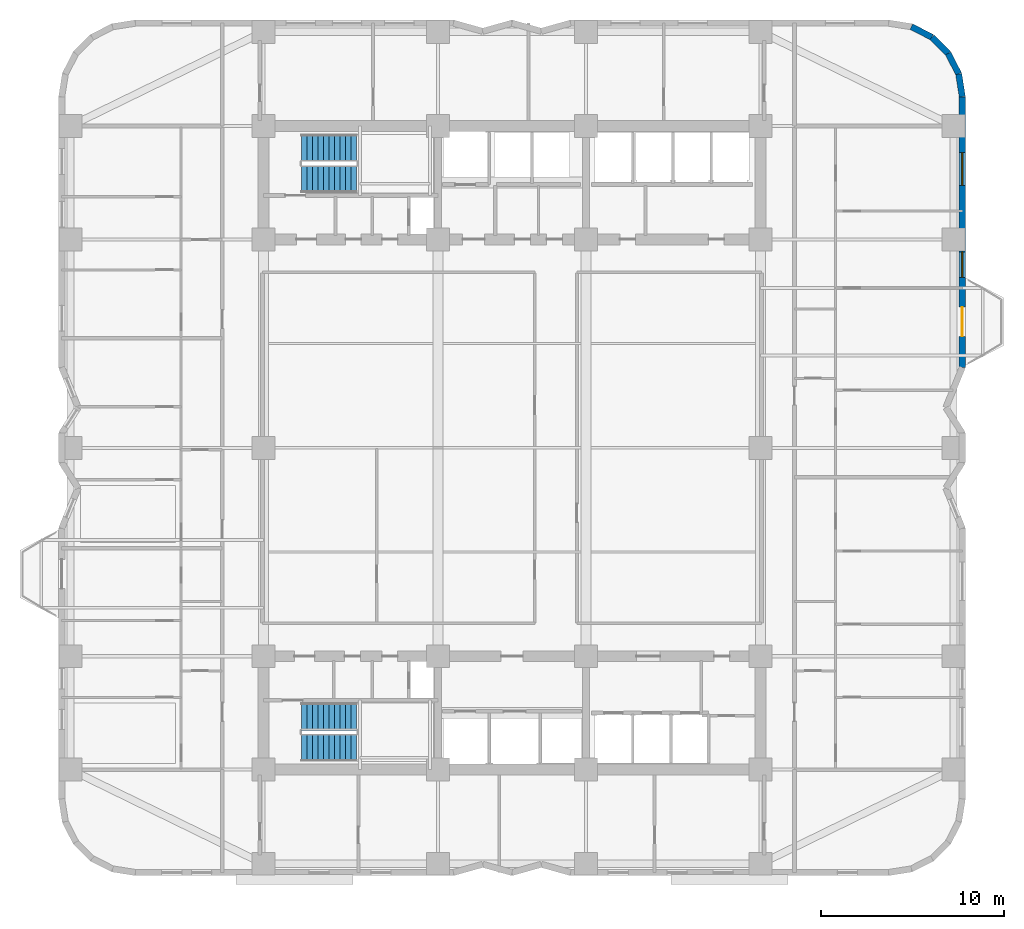
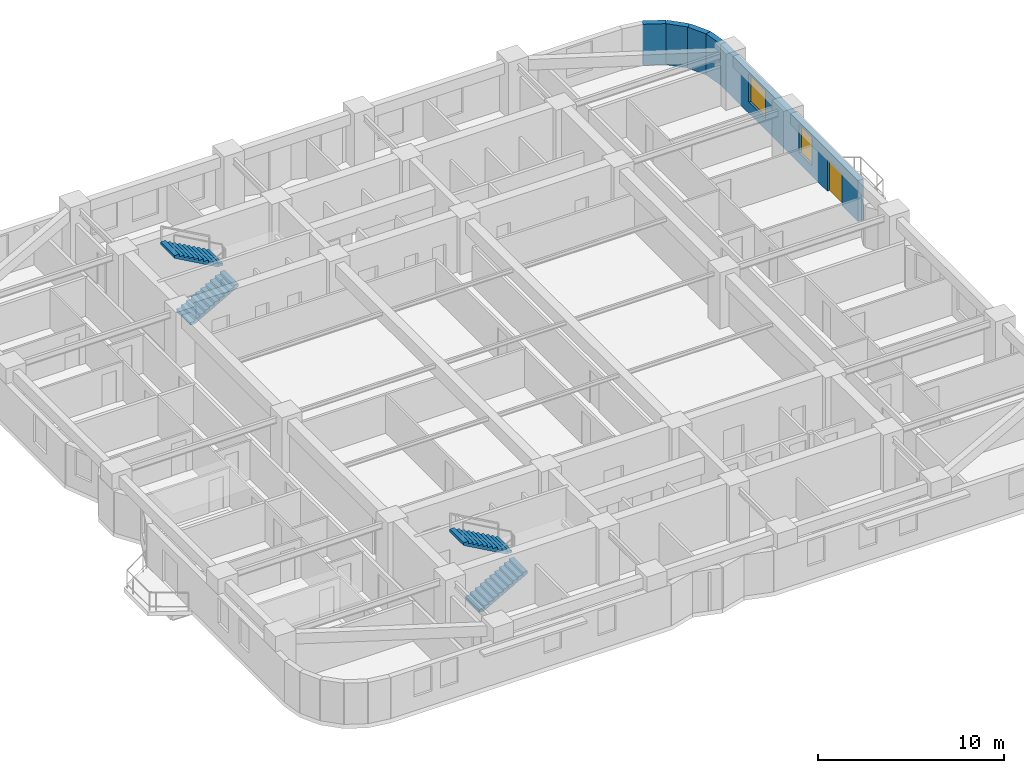
# One storey, part 8 of 11: 5 walls, 4 stair flights, 2 windows, 1 door, 3 openings, 2 elements without a shape of their own.
"""IFC4 building model written with IfcOpenShell, lengths in metres."""

from ifc_helpers import new_model, si_unit, direction, frame, frame_2d, origin, place, context, subcontext, project, spatial, polyline, rectangle, outline, extrude, material, layer, layer_set, type_object, element, fill, aggregate, save


model = new_model("IFC4")

# Units and contexts
model_context = context("Model", 3, precision=1e-05, world=origin(), true_north=direction((0.0, 1.0)))
body_context = subcontext(model_context, "Body", "Model", "MODEL_VIEW")
ifc_project = project(units=[si_unit("LENGTHUNIT", "METRE"), si_unit("AREAUNIT", "SQUARE_METRE"), si_unit("VOLUMEUNIT", "CUBIC_METRE"), si_unit("PLANEANGLEUNIT", "RADIAN"), si_unit("MASSUNIT", "GRAM", prefix="KILO")], contexts=[model_context])

# Site, building, storey
site_placement = place(None, origin())
site = spatial("IfcSite", under=ifc_project, at=site_placement, CompositionType="ELEMENT")
building_placement = place(site_placement, origin())
building = spatial("IfcBuilding", under=site, at=building_placement, Name="Svetorya Sky Lyceum", CompositionType="ELEMENT")
storey_placement = place(building_placement, frame((0.0, 0.0, 36.199951171875)))
storey = spatial("IfcBuildingStorey", under=building, at=storey_placement, Name="L08", CompositionType="ELEMENT", Elevation=36.199951171875)

# Wall, openings, door, windows
ifc_material_1 = material(Name="Putilovo limestone rainscreen on autoclaved cellular masonry", Category="masonry")
ifc_layer = layer(ifc_material_1, 0.340087890625)
ifc_layer_set = layer_set([ifc_layer], Name="Putilovo limestone rainscreen on autoclaved cellular masonry")
wall_type = type_object("IfcWallType", Name="WL-EXT-340", PredefinedType="SOLIDWALL", material=ifc_layer_set)
wall_1_placement = place(storey_placement, frame((63.830078125, 32.60009765625, 0.0), z_axis=(0.0, 0.0, 1.0), x_axis=(0.0, 1.0, 0.0)))
wall_1 = element("IfcWall", 1, at=wall_1_placement, inside=storey, type_object=wall_type, Name="L08 Limestone Exterior Wall 23M", PredefinedType="SOLIDWALL", context=body_context, shape_type="SweptSolid", body=[
    extrude(rectangle(XDim=14.7998046875, YDim=0.340087890625, at=frame_2d((7.39990234375, 0.0))), origin(), (0.0, 0.0, 1.0), 2.699951171875),
])
opening_1_placement = place(wall_1_placement, frame((1.699951171875, 0.0, 0.0)))
opening_1 = element("IfcOpeningElement", 2, at=opening_1_placement, cuts=wall_1, Name="Opening D-BL1", PredefinedType="OPENING", context=body_context, shape_type="SweptSolid", body=[
    extrude(rectangle(XDim=1.60009765625, YDim=2.10009765625, at=frame_2d((0.800048828125, 1.050048828125))), frame((0.0, 0.179931640625, 0.0), z_axis=(0.0, -1.0, 0.0), x_axis=(1.0, 0.0, 0.0)), (0.0, 0.0, 1.0), 0.360107421875),
])
opening_2_placement = place(wall_1_placement, frame((4.919921875, 0.0, 0.68994140625)))
opening_2 = element("IfcOpeningElement", 3, at=opening_2_placement, cuts=wall_1, Name="Opening W-R2", PredefinedType="OPENING", context=body_context, shape_type="SweptSolid", body=[
    extrude(rectangle(XDim=1.39990234375, YDim=1.85009765625, at=frame_2d((0.699951171875, 0.925048828125))), frame((0.0, 0.179931640625, 0.0), z_axis=(0.0, -1.0, 0.0), x_axis=(1.0, 0.0, 0.0)), (0.0, 0.0, 1.0), 0.360107421875),
])
opening_3_placement = place(wall_1_placement, frame((9.949951171875, 0.0, 0.72998046875)))
opening_3 = element("IfcOpeningElement", 4, at=opening_3_placement, cuts=wall_1, Name="Opening W-R1", PredefinedType="OPENING", context=body_context, shape_type="SweptSolid", body=[
    extrude(rectangle(XDim=1.800048828125, YDim=1.85009765625, at=frame_2d((0.89990234375, 0.925048828125))), frame((0.0, 0.179931640625, 0.0), z_axis=(0.0, -1.0, 0.0), x_axis=(1.0, 0.0, 0.0)), (0.0, 0.0, 1.0), 0.360107421875),
])
ifc_material_2 = material(Name="Insulated glazed aluminium balcony door", Category="aluminium")
door_type = type_object("IfcDoorType", Name="DR-BAL-1600", OperationType="DOUBLE_DOOR_SINGLE_SWING", PredefinedType="DOOR", material=ifc_material_2)
door_placement = place(opening_1_placement, origin())
door = element("IfcDoor", 5, at=door_placement, inside=storey, type_object=door_type, Name="L08 Balcony BAL-E1 Door", OperationType="DOUBLE_DOOR_SINGLE_SWING", OverallHeight=2.10009765625, OverallWidth=1.60009765625, PredefinedType="DOOR", context=body_context, shape_type="SweptSolid", body=[
    extrude(rectangle(XDim=1.60009765625, YDim=2.10009765625, at=frame_2d((0.800048828125, 1.050048828125))), frame((0.0, 0.02490234375, 0.0), z_axis=(0.0, -1.0, 0.0), x_axis=(1.0, 0.0, 0.0)), (0.0, 0.0, 1.0), 0.050048828125),
])
fill(opening_1, door)
ifc_material_3 = material(Name="Thermally broken aluminium frame with triple low-E glazing", Category="aluminium")
window_type_1 = type_object("IfcWindowType", Name="WN-RES-140", PartitioningType="SINGLE_PANEL", PredefinedType="WINDOW", material=ifc_material_3)
window_1_placement = place(opening_2_placement, origin())
window_1 = element("IfcWindow", 6, at=window_1_placement, inside=storey, type_object=window_type_1, Name="L08 Facade Window W-R2.23M.2", OverallHeight=1.85009765625, OverallWidth=1.39990234375, PartitioningType="SINGLE_PANEL", PredefinedType="WINDOW", context=body_context, shape_type="SweptSolid", body=[
    extrude(rectangle(XDim=1.39990234375, YDim=1.85009765625, at=frame_2d((0.699951171875, 0.925048828125))), frame((0.0, 0.030029296875, 0.0), z_axis=(0.0, -1.0, 0.0), x_axis=(1.0, 0.0, 0.0)), (0.0, 0.0, 1.0), 0.06005859375),
])
fill(opening_2, window_1)
window_type_2 = type_object("IfcWindowType", Name="WN-RES-180", PartitioningType="DOUBLE_PANEL_VERTICAL", PredefinedType="WINDOW", material=ifc_material_3)
window_2_placement = place(opening_3_placement, origin())
window_2 = element("IfcWindow", 7, at=window_2_placement, inside=storey, type_object=window_type_2, Name="L08 Facade Window W-R1.23M.1", OverallHeight=1.85009765625, OverallWidth=1.800048828125, PartitioningType="SINGLE_PANEL", PredefinedType="WINDOW", context=body_context, shape_type="SweptSolid", body=[
    extrude(rectangle(XDim=1.800048828125, YDim=1.85009765625, at=frame_2d((0.89990234375, 0.925048828125))), frame((0.0, 0.030029296875, 0.0), z_axis=(0.0, -1.0, 0.0), x_axis=(1.0, 0.0, 0.0)), (0.0, 0.0, 1.0), 0.06005859375),
])
fill(opening_3, window_2)

# Walls
for number, where, z_axis, x_axis, name in (
    (8, (63.830078125, 47.39990234375, 0.0), (0.0, 0.0, 1.0), (-0.15644975923, 0.987685918112, 0.0), "L08 Limestone Exterior Wall 24M"),
    (9, (63.6328125, 48.645263671875, 0.0), (0.0, 0.0, 1.0), (-0.454015689056, 0.890993689142, 0.0), "L08 Limestone Exterior Wall 25M"),
    (10, (63.060302734375, 49.768798828125, 0.0), (0.0, 0.0, 1.0), (-0.707106781187, 0.707106781187, 0.0), "L08 Limestone Exterior Wall 26M"),
):
    element("IfcWall", number, at=place(storey_placement, frame(where, z_axis=z_axis, x_axis=x_axis)), inside=storey, type_object=wall_type, Name=name, PredefinedType="SOLIDWALL", context=body_context, shape_type="SweptSolid", body=[
        extrude(rectangle(XDim=1.260986328125, YDim=0.340087890625, at=frame_2d((0.63037109375, 0.0))), origin(), (0.0, 0.0, 1.0), 2.699951171875),
    ])
wall_2_placement = place(storey_placement, frame((62.168701171875, 50.660400390625, 0.0), z_axis=(0.0, 0.0, 1.0), x_axis=(-0.890953769915, 0.454094020963, 0.0)))
element("IfcWall", 11, at=wall_2_placement, inside=storey, type_object=wall_type, Name="L08 Limestone Exterior Wall 27M", PredefinedType="SOLIDWALL", context=body_context, shape_type="SweptSolid", body=[
    extrude(rectangle(XDim=1.2607421875, YDim=0.340087890625, at=frame_2d((0.63037109375, 0.0))), origin(), (0.0, 0.0, 1.0), 2.699951171875),
])

# Stair, stair flights
ifc_material_4 = material(Name="Concrete C40/50", Category="concrete")
stair_type_1 = type_object("IfcStairType", Name="STR-ST-N", PredefinedType="HALF_TURN_STAIR", material=ifc_material_4)
stair_1_placement = place(storey_placement, origin())
stair_1 = element("IfcStair", 12, at=stair_1_placement, inside=storey, type_object=stair_type_1, Name="L08 North Core Smoke-Free Exit Stair N3", PredefinedType="HALF_TURN_STAIR")
stair_flight_type_1 = type_object("IfcStairFlightType", Name="SFL-ST-N", PredefinedType="STRAIGHT", material=ifc_material_4)
stair_flight_1_placement = place(storey_placement, frame((27.699951171875, 42.89990234375, 0.0), z_axis=(0.0, 0.0, 1.0), x_axis=(1.0, 0.0, 0.0)))
stair_flight_1 = element("IfcStairFlight", 13, at=stair_flight_1_placement, type_object=stair_flight_type_1, Name="ST-N flight 1", NumberOfRisers=11, NumberOfTreads=10, PredefinedType="STRAIGHT", RiserHeight=0.168181818, TreadLength=0.3, context=body_context, shape_type="SweptSolid", body=[
    extrude(outline(polyline([(0.0, 0.0), (0.0, 0.168212890625), (0.300048828125, 0.168212890625), (0.300048828125, 0.33642578125), (0.60009765625, 0.33642578125), (0.60009765625, 0.504638671875), (0.89990234375, 0.504638671875), (0.89990234375, 0.672607421875), (1.199951171875, 0.672607421875), (1.199951171875, 0.8408203125), (1.5, 0.8408203125), (1.5, 1.009033203125), (1.800048828125, 1.009033203125), (1.800048828125, 1.17724609375), (2.10009765625, 1.17724609375), (2.10009765625, 1.345458984375), (2.39990234375, 1.345458984375), (2.39990234375, 1.513671875), (2.699951171875, 1.513671875), (2.699951171875, 1.681884765625), (3.0, 1.681884765625), (3.0, 1.85009765625), (3.0, 1.510009765625), (0.306640625, 0.0), (0.0, 0.0)])), frame((0.0, 0.75, 0.0), z_axis=(0.0, -1.0, 0.0), x_axis=(1.0, 0.0, 0.0)), (0.0, 0.0, 1.0), 1.5),
])
stair_flight_2_placement = place(storey_placement, frame((30.699951171875, 44.60009765625, 1.85009765625), z_axis=(0.0, 0.0, 1.0), x_axis=(-1.0, 0.0, 0.0)))
stair_flight_2 = element("IfcStairFlight", 14, at=stair_flight_2_placement, type_object=stair_flight_type_1, Name="ST-N flight 2", NumberOfRisers=11, NumberOfTreads=10, PredefinedType="STRAIGHT", RiserHeight=0.168181818, TreadLength=0.3, context=body_context, shape_type="SweptSolid", body=[
    extrude(outline(polyline([(0.0, 0.0), (0.0, 0.168212890625), (0.300048828125, 0.168212890625), (0.300048828125, 0.33642578125), (0.60009765625, 0.33642578125), (0.60009765625, 0.504638671875), (0.89990234375, 0.504638671875), (0.89990234375, 0.672607421875), (1.199951171875, 0.672607421875), (1.199951171875, 0.8408203125), (1.5, 0.8408203125), (1.5, 1.009033203125), (1.800048828125, 1.009033203125), (1.800048828125, 1.17724609375), (2.10009765625, 1.17724609375), (2.10009765625, 1.345458984375), (2.39990234375, 1.345458984375), (2.39990234375, 1.513671875), (2.699951171875, 1.513671875), (2.699951171875, 1.681884765625), (3.0, 1.681884765625), (3.0, 1.85009765625), (3.0, 1.510009765625), (0.306640625, 0.0), (0.0, 0.0)])), frame((0.0, 0.75, 0.0), z_axis=(0.0, -1.0, 0.0), x_axis=(1.0, 0.0, 0.0)), (0.0, 0.0, 1.0), 1.5),
])
aggregate(stair_1, [stair_flight_1, stair_flight_2])

stair_type_2 = type_object("IfcStairType", Name="STR-ST-S", PredefinedType="HALF_TURN_STAIR", material=ifc_material_4)
stair_2_placement = place(storey_placement, origin())
stair_2 = element("IfcStair", 15, at=stair_2_placement, inside=storey, type_object=stair_type_2, Name="L08 South Core Smoke-Free Exit Stair N2", PredefinedType="HALF_TURN_STAIR")
stair_flight_type_2 = type_object("IfcStairFlightType", Name="SFL-ST-S", PredefinedType="STRAIGHT", material=ifc_material_4)
stair_flight_3_placement = place(storey_placement, frame((27.699951171875, 11.800048828125, 0.0), z_axis=(0.0, 0.0, 1.0), x_axis=(1.0, 0.0, 0.0)))
stair_flight_3 = element("IfcStairFlight", 16, at=stair_flight_3_placement, type_object=stair_flight_type_2, Name="ST-S flight 1", NumberOfRisers=11, NumberOfTreads=10, PredefinedType="STRAIGHT", RiserHeight=0.168181818, TreadLength=0.3, context=body_context, shape_type="SweptSolid", body=[
    extrude(outline(polyline([(0.0, 0.0), (0.0, 0.168212890625), (0.300048828125, 0.168212890625), (0.300048828125, 0.33642578125), (0.60009765625, 0.33642578125), (0.60009765625, 0.504638671875), (0.89990234375, 0.504638671875), (0.89990234375, 0.672607421875), (1.199951171875, 0.672607421875), (1.199951171875, 0.8408203125), (1.5, 0.8408203125), (1.5, 1.009033203125), (1.800048828125, 1.009033203125), (1.800048828125, 1.17724609375), (2.10009765625, 1.17724609375), (2.10009765625, 1.345458984375), (2.39990234375, 1.345458984375), (2.39990234375, 1.513671875), (2.699951171875, 1.513671875), (2.699951171875, 1.681884765625), (3.0, 1.681884765625), (3.0, 1.85009765625), (3.0, 1.510009765625), (0.306640625, 0.0), (0.0, 0.0)])), frame((0.0, 0.75, 0.0), z_axis=(0.0, -1.0, 0.0), x_axis=(1.0, 0.0, 0.0)), (0.0, 0.0, 1.0), 1.5),
])
stair_flight_4_placement = place(storey_placement, frame((30.699951171875, 13.5, 1.85009765625), z_axis=(0.0, 0.0, 1.0), x_axis=(-1.0, 0.0, 0.0)))
stair_flight_4 = element("IfcStairFlight", 17, at=stair_flight_4_placement, type_object=stair_flight_type_2, Name="ST-S flight 2", NumberOfRisers=11, NumberOfTreads=10, PredefinedType="STRAIGHT", RiserHeight=0.168181818, TreadLength=0.3, context=body_context, shape_type="SweptSolid", body=[
    extrude(outline(polyline([(0.0, 0.0), (0.0, 0.168212890625), (0.300048828125, 0.168212890625), (0.300048828125, 0.33642578125), (0.60009765625, 0.33642578125), (0.60009765625, 0.504638671875), (0.89990234375, 0.504638671875), (0.89990234375, 0.672607421875), (1.199951171875, 0.672607421875), (1.199951171875, 0.8408203125), (1.5, 0.8408203125), (1.5, 1.009033203125), (1.800048828125, 1.009033203125), (1.800048828125, 1.17724609375), (2.10009765625, 1.17724609375), (2.10009765625, 1.345458984375), (2.39990234375, 1.345458984375), (2.39990234375, 1.513671875), (2.699951171875, 1.513671875), (2.699951171875, 1.681884765625), (3.0, 1.681884765625), (3.0, 1.85009765625), (3.0, 1.510009765625), (0.306640625, 0.0), (0.0, 0.0)])), frame((0.0, 0.75, 0.0), z_axis=(0.0, -1.0, 0.0), x_axis=(1.0, 0.0, 0.0)), (0.0, 0.0, 1.0), 1.5),
])
aggregate(stair_2, [stair_flight_3, stair_flight_4])

save(model, "model.ifc")
